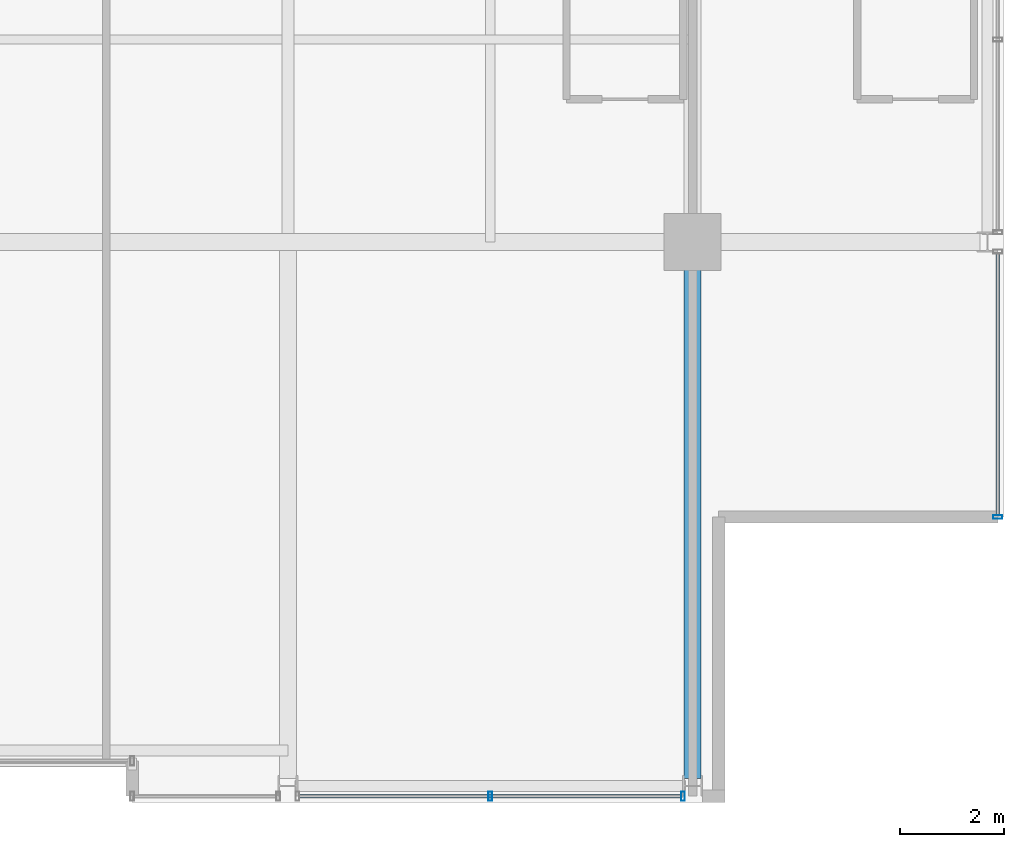
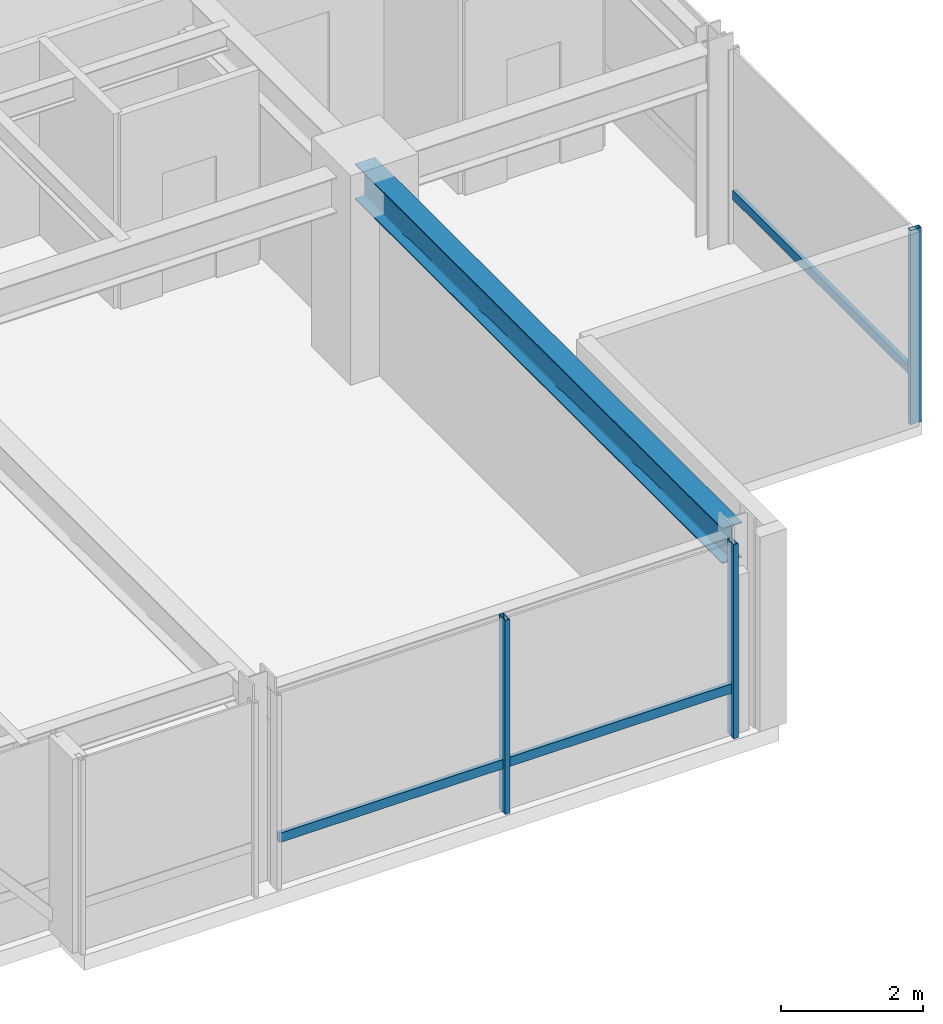
# One storey, part 12 of 31: 5 members, 1 beam, 2 elements without a shape of their own.
"""IFC4 building model written with IfcOpenShell, lengths in metres."""

from ifc_helpers import new_model, si_unit, direction, frame, origin, origin_2d, place, context, subcontext, project, spatial, hollow_rectangle, i_section, extrude, material, layer, layer_set, material_profile, profile_set, type_object, element, aggregate, save


model = new_model("IFC4")

# Units and contexts
model_context = context("Model", 3, precision=1e-05, world=origin(), true_north=direction((0.0, 1.0)))
body_context = subcontext(model_context, "Body", "Model", "MODEL_VIEW")
ifc_project = project(units=[si_unit("LENGTHUNIT", "METRE"), si_unit("AREAUNIT", "SQUARE_METRE"), si_unit("VOLUMEUNIT", "CUBIC_METRE"), si_unit("PLANEANGLEUNIT", "RADIAN"), si_unit("MASSUNIT", "GRAM", prefix="KILO")], contexts=[model_context])

# Site, building, storey
site_placement = place(None, origin())
site = spatial("IfcSite", under=ifc_project, at=site_placement, CompositionType="ELEMENT")
building_placement = place(site_placement, origin())
building = spatial("IfcBuilding", under=site, at=building_placement, Name="Drelvath Grand Hotel", CompositionType="ELEMENT")
storey_placement = place(building_placement, frame((0.0, 0.0, 219.5)))
storey = spatial("IfcBuildingStorey", under=building, at=storey_placement, Name="L57", CompositionType="ELEMENT", Elevation=219.5)

# Curtain wall, member
ifc_material_1 = material(Name="Platinum-Mist Anodised Aluminium Frame", Category="aluminium")
ifc_layer = layer(ifc_material_1, 0.199951171875)
ifc_layer_set = layer_set([ifc_layer], Name="Platinum-Mist Anodised Aluminium Frame")
curtain_wall_type = type_object("IfcCurtainWallType", Name="Stick Curtain Wall CW-05 Platinum Mist High-Rise", PredefinedType="NOTDEFINED", material=ifc_layer_set)
curtain_wall_1_placement = place(storey_placement, origin())
curtain_wall_1 = element("IfcCurtainWall", 1, at=curtain_wall_1_placement, inside=storey, type_object=curtain_wall_type, Name="L57 CW-05 Curtain Wall CW05-L57-ES1", PredefinedType="NOTDEFINED")
ifc_material_profile_1 = material_profile(ifc_material_1, hollow_rectangle(XDim=0.06494140625, YDim=0.159912109375, WallThickness=0.00390625, at=origin_2d()), Name="HSS160X65X4")
ifc_profile_set_1 = profile_set([ifc_material_profile_1], Name="Platinum-Mist Anodised Aluminium Frame")
member_type_1 = type_object("IfcMemberType", Name="Curtain Wall Horizontal Transom CW-05 HSS160X65X4", PredefinedType="USERDEFINED", material=ifc_profile_set_1)
member_1_placement = place(storey_placement, frame((22.080078125, 10.57470703125, 0.8349609375), z_axis=(0.0, -1.0, 0.0), x_axis=(1.0, 0.0, 0.0)))
member_1 = element("IfcMember", 2, at=member_1_placement, type_object=member_type_1, Name="CW05-L57-ES1 Sill Transom", ObjectType="TRANSOM", PredefinedType="USERDEFINED", context=body_context, shape_type="SweptSolid", body=[
    extrude(hollow_rectangle(XDim=0.06494140625, YDim=0.159912109375, WallThickness=0.00390625, at=origin_2d()), origin(), (0.0, 0.0, 1.0), 5.03466796875),
])

curtain_wall_2_placement = place(storey_placement, origin())
curtain_wall_2 = element("IfcCurtainWall", 3, at=curtain_wall_2_placement, inside=storey, type_object=curtain_wall_type, Name="L57 CW-05 Curtain Wall CW05-L57-SE2", PredefinedType="NOTDEFINED")
member_2_placement = place(storey_placement, frame((15.974609375, 0.1201171875, 0.8349609375), z_axis=(-1.0, 0.0, 0.0), x_axis=(0.0, -1.0, 0.0)))
member_2 = element("IfcMember", 4, at=member_2_placement, type_object=member_type_1, Name="CW05-L57-SE2 Sill Transom", ObjectType="TRANSOM", PredefinedType="USERDEFINED", context=body_context, shape_type="SweptSolid", body=[
    extrude(hollow_rectangle(XDim=0.06494140625, YDim=0.159912109375, WallThickness=0.00390625, at=origin_2d()), origin(), (0.0, 0.0, 1.0), 7.349365234375),
])

# Member
ifc_material_profile_2 = material_profile(ifc_material_1, hollow_rectangle(XDim=0.074951171875, YDim=0.179931640625, WallThickness=0.0048828125, at=origin_2d()), Name="HSS180X75X5")
ifc_profile_set_2 = profile_set([ifc_material_profile_2], Name="Platinum-Mist Anodised Aluminium Frame")
member_type_2 = type_object("IfcMemberType", Name="Curtain Wall Vertical Mullion CW-05 HSS180X75X5", PredefinedType="MULLION", material=ifc_profile_set_2)
member_3_placement = place(storey_placement, frame((22.080078125, 5.5, 0.0), z_axis=(0.0, 0.0, 1.0), x_axis=(0.0, 1.0, 0.0)))
member_3 = element("IfcMember", 5, at=member_3_placement, type_object=member_type_2, Name="CW05-L57-ES1 Mullion 2", PredefinedType="MULLION", context=body_context, shape_type="SweptSolid", body=[
    extrude(hollow_rectangle(XDim=0.074951171875, YDim=0.179931640625, WallThickness=0.0048828125, at=origin_2d()), origin(), (0.0, 0.0, 1.0), 3.340087890625),
])

aggregate(curtain_wall_1, [member_3, member_1])

member_4_placement = place(storey_placement, frame((16.0146484375, 0.1201171875, 0.0), z_axis=(0.0, 0.0, 1.0), x_axis=(1.0, 0.0, 0.0)))
member_4 = element("IfcMember", 6, at=member_4_placement, type_object=member_type_2, Name="CW05-L57-SE2 Mullion 1", PredefinedType="MULLION", context=body_context, shape_type="SweptSolid", body=[
    extrude(hollow_rectangle(XDim=0.074951171875, YDim=0.179931640625, WallThickness=0.0048828125, at=origin_2d()), origin(), (0.0, 0.0, 1.0), 3.340087890625),
])

member_5_placement = place(storey_placement, frame((12.300048828125, 0.1201171875, 0.0), z_axis=(0.0, 0.0, 1.0), x_axis=(1.0, 0.0, 0.0)))
member_5 = element("IfcMember", 7, at=member_5_placement, type_object=member_type_2, Name="CW05-L57-SE2 Mullion 2", PredefinedType="MULLION", context=body_context, shape_type="SweptSolid", body=[
    extrude(hollow_rectangle(XDim=0.074951171875, YDim=0.179931640625, WallThickness=0.0048828125, at=origin_2d()), origin(), (0.0, 0.0, 1.0), 3.340087890625),
])

aggregate(curtain_wall_2, [member_4, member_5, member_2])

# Beam
ifc_material_2 = material(Name="Steel ASTM A992 Gr 50", Category="steel")
ifc_material_profile_3 = material_profile(ifc_material_2, i_section(OverallWidth=0.323974609375, OverallDepth=0.611083984375, WebThickness=0.0126953125, FlangeThickness=0.01904296875, FilletRadius=0.02197265625, at=origin_2d()), Name="W24X104")
ifc_profile_set_3 = profile_set([ifc_material_profile_3], Name="Steel ASTM A992 Gr 50")
beam_type = type_object("IfcBeamType", Name="Primary Floor Girder W24X104", PredefinedType="BEAM", material=ifc_profile_set_3)
beam_placement = place(storey_placement, frame((16.199951171875, 0.4599609375, 3.034423828125), z_axis=(0.0, 1.0, 0.0), x_axis=(-1.0, 0.0, 0.0)))
element("IfcBeam", 8, at=beam_placement, inside=storey, type_object=beam_type, Name="L57 South Grid Girder 7", PredefinedType="BEAM", context=body_context, shape_type="SweptSolid", body=[
    extrude(i_section(OverallWidth=0.323974609375, OverallDepth=0.611083984375, WebThickness=0.0126953125, FlangeThickness=0.01904296875, FilletRadius=0.02197265625, at=origin_2d()), origin(), (0.0, 0.0, 1.0), 10.340087890625),
])

save(model, "model.ifc")
